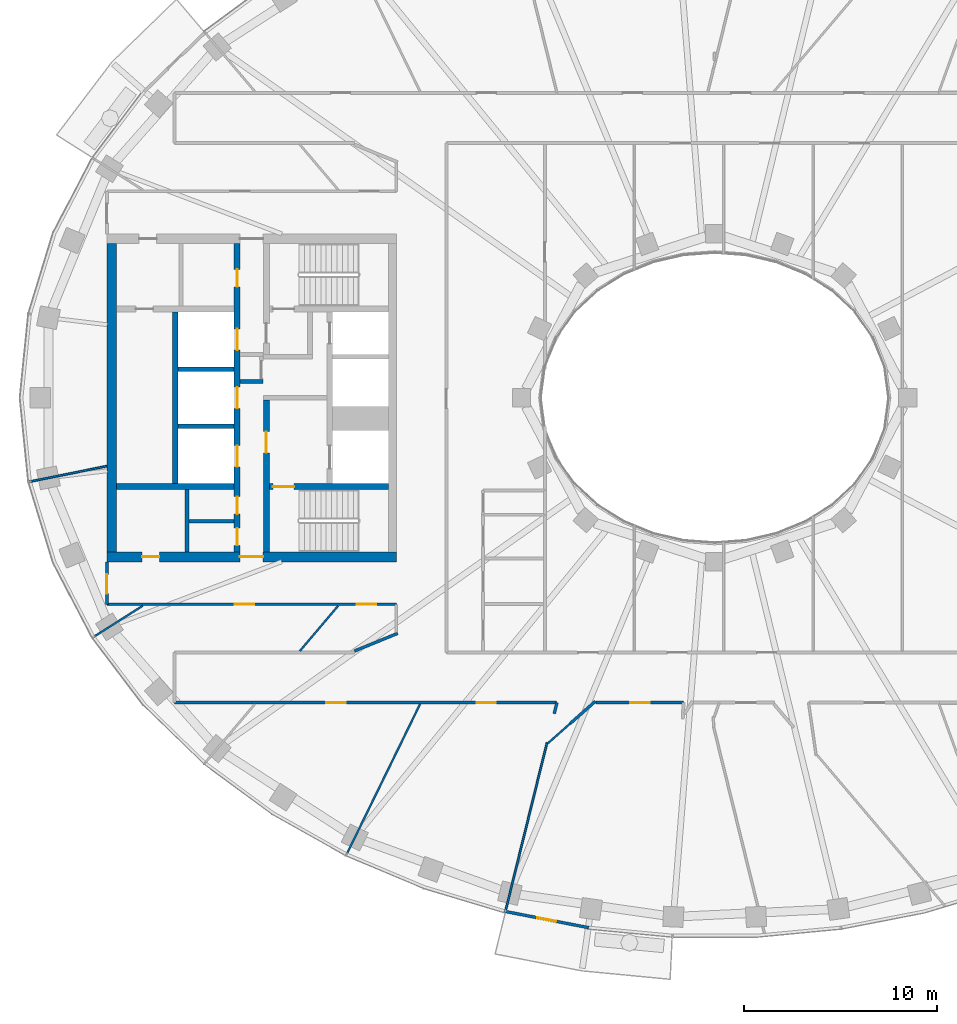
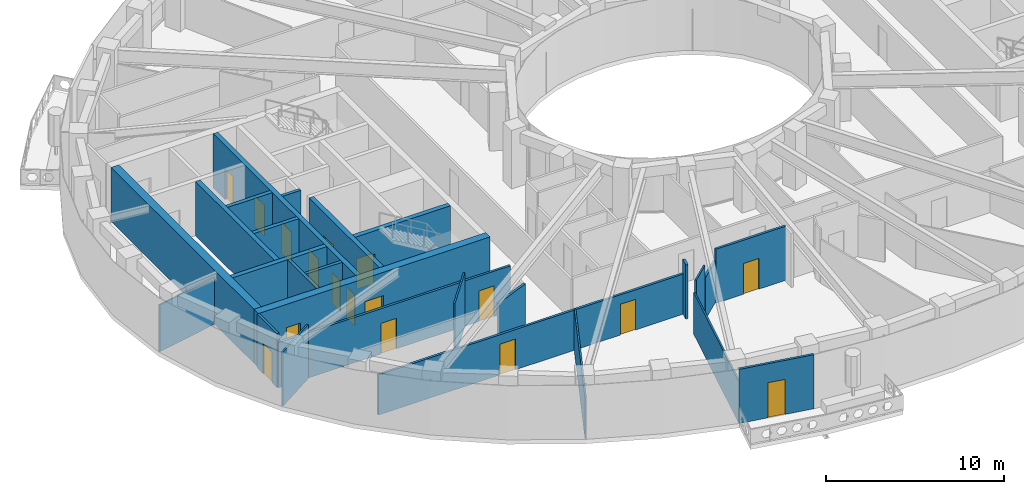
# One storey, part 3 of 16: 26 walls, 17 doors, 17 openings.
"""IFC4 building model written with IfcOpenShell, lengths in metres."""

from ifc_helpers import new_model, si_unit, direction, frame, frame_2d, origin, place, context, subcontext, project, spatial, rectangle, extrude, material, layer, layer_set, type_object, element, fill, save


model = new_model("IFC4")

# Units and contexts
model_context = context("Model", 3, precision=1e-05, world=origin(), true_north=direction((0.0, 1.0)))
body_context = subcontext(model_context, "Body", "Model", "MODEL_VIEW")
ifc_project = project(units=[si_unit("LENGTHUNIT", "METRE"), si_unit("AREAUNIT", "SQUARE_METRE"), si_unit("VOLUMEUNIT", "CUBIC_METRE"), si_unit("PLANEANGLEUNIT", "RADIAN"), si_unit("MASSUNIT", "GRAM", prefix="KILO")], contexts=[model_context])

# Site, building, storey
site_placement = place(None, origin())
site = spatial("IfcSite", under=ifc_project, at=site_placement, CompositionType="ELEMENT")
building_placement = place(site_placement, origin())
building = spatial("IfcBuilding", under=site, at=building_placement, Name="Noorbagh Ring Tower", CompositionType="ELEMENT")
storey_placement = place(building_placement, frame((0.0, 0.0, 273.5)))
storey = spatial("IfcBuildingStorey", under=building, at=storey_placement, Name="L58", CompositionType="ELEMENT", Elevation=273.5)

# Walls
ifc_material_1 = material(Name="Gypsum board on steel studs", Category="steel")
ifc_layer_1 = layer(ifc_material_1, 0.199951171875)
ifc_layer_set_1 = layer_set([ifc_layer_1], Name="Gypsum board on steel studs")
wall_type_1 = type_object("IfcWallType", Name="CORE-PARTITION-200", PredefinedType="PARTITIONING", material=ifc_layer_set_1)
wall_1_placement = place(storey_placement, frame((-23.39990234375, 0.85009765625, 0.0), z_axis=(0.0, 0.0, 1.0), x_axis=(-1.0, 0.0, 0.0)))
element("IfcWall", 1, at=wall_1_placement, inside=storey, type_object=wall_type_1, Name="Core partition W", PredefinedType="PARTITIONING", context=body_context, shape_type="SweptSolid", body=[
    extrude(rectangle(XDim=1.2001953125, YDim=0.199951171875, at=frame_2d((0.60009765625, 0.0))), origin(), (0.0, 0.0, 1.0), 3.699951171875),
])
wall_2_placement = place(storey_placement, frame((-27.35009765625, -8.0, 0.0), z_axis=(0.0, 0.0, 1.0), x_axis=(0.0, 1.0, 0.0)))
element("IfcWall", 2, at=wall_2_placement, inside=storey, type_object=wall_type_1, Name="Core partition W", PredefinedType="PARTITIONING", context=body_context, shape_type="SweptSolid", body=[
    extrude(rectangle(XDim=3.25, YDim=0.199951171875, at=frame_2d((1.625, 0.0))), origin(), (0.0, 0.0, 1.0), 3.699951171875),
])
wall_3_placement = place(storey_placement, frame((-24.89990234375, -6.39990234375, 0.0), z_axis=(0.0, 0.0, 1.0), x_axis=(-1.0, 0.0, 0.0)))
element("IfcWall", 3, at=wall_3_placement, inside=storey, type_object=wall_type_1, Name="Core partition W", PredefinedType="PARTITIONING", context=body_context, shape_type="SweptSolid", body=[
    extrude(rectangle(XDim=2.35009765625, YDim=0.199951171875, at=frame_2d((1.175048828125, 0.0))), origin(), (0.0, 0.0, 1.0), 3.699951171875),
])
ifc_material_2 = material(Name="Concrete C60/75", Category="concrete")
ifc_layer_2 = layer(ifc_material_2, 0.25)
ifc_layer_set_2 = layer_set([ifc_layer_2], Name="Concrete C60/75")
wall_type_2 = type_object("IfcWallType", Name="CORE-WALL-250-C60-75-EI120", PredefinedType="SHEAR", material=ifc_layer_set_2)
for number, where, z_axis, x_axis, name in (
    (4, (-24.89990234375, -1.47509765625, 0.0), (0.0, 0.0, 1.0), (-1.0, 0.0, 0.0), "Core wall W"),
    (5, (-24.89990234375, 1.47509765625, 0.0), (0.0, 0.0, 1.0), (-1.0, 0.0, 0.0), "Core wall W"),
):
    element("IfcWall", number, at=place(storey_placement, frame(where, z_axis=z_axis, x_axis=x_axis)), inside=storey, type_object=wall_type_2, Name=name, PredefinedType="SHEAR", context=body_context, shape_type="SweptSolid", body=[
        extrude(rectangle(XDim=2.900146484375, YDim=0.25, at=frame_2d((1.4501953125, 0.0))), origin(), (0.0, 0.0, 1.0), 3.699951171875),
    ])
ifc_material_3 = material(Name="Concrete C60/75", Category="concrete")
ifc_layer_3 = layer(ifc_material_3, 0.300048828125)
ifc_layer_set_3 = layer_set([ifc_layer_3], Name="Concrete C60/75")
wall_type_3 = type_object("IfcWallType", Name="CORE-WALL-300-C60-75-EI120", PredefinedType="SHEAR", material=ifc_layer_set_3)
wall_4_placement = place(storey_placement, frame((-27.949951171875, -4.449951171875, 0.0), z_axis=(0.0, 0.0, 1.0), x_axis=(0.0, 1.0, 0.0)))
element("IfcWall", 6, at=wall_4_placement, inside=storey, type_object=wall_type_3, Name="Core wall W", PredefinedType="SHEAR", context=body_context, shape_type="SweptSolid", body=[
    extrude(rectangle(XDim=8.89990234375, YDim=0.300048828125, at=frame_2d((4.449951171875, 0.0))), origin(), (0.0, 0.0, 1.0), 3.699951171875),
])

# Wall, openings, doors
wall_5_placement = place(storey_placement, frame((-24.75, -8.0, 0.0), z_axis=(0.0, 0.0, 1.0), x_axis=(0.0, 1.0, 0.0)))
wall_5 = element("IfcWall", 7, at=wall_5_placement, inside=storey, type_object=wall_type_3, Name="Core wall W", PredefinedType="SHEAR", context=body_context, shape_type="SweptSolid", body=[
    extrude(rectangle(XDim=16.0, YDim=0.300048828125, at=frame_2d((8.0, 0.0))), origin(), (0.0, 0.0, 1.0), 3.699951171875),
])
opening_1_placement = place(wall_5_placement, frame((4.425048828125, 0.0, 0.0)))
opening_1 = element("IfcOpeningElement", 8, at=opening_1_placement, cuts=wall_5, Name="Opening L58-CW03", PredefinedType="OPENING", context=body_context, shape_type="SweptSolid", body=[
    extrude(rectangle(XDim=1.10009765625, YDim=2.10009765625, at=frame_2d((0.550048828125, 1.050048828125))), frame((0.0, 0.16015625, 0.0), z_axis=(0.0, -1.0, 0.0), x_axis=(1.0, 0.0, 0.0)), (0.0, 0.0, 1.0), 0.320068359375),
])
opening_2_placement = place(wall_5_placement, frame((7.449951171875, 0.0, 0.0)))
opening_2 = element("IfcOpeningElement", 9, at=opening_2_placement, cuts=wall_5, Name="Opening L58-CW04", PredefinedType="OPENING", context=body_context, shape_type="SweptSolid", body=[
    extrude(rectangle(XDim=1.10009765625, YDim=2.10009765625, at=frame_2d((0.550048828125, 1.050048828125))), frame((0.0, 0.16015625, 0.0), z_axis=(0.0, -1.0, 0.0), x_axis=(1.0, 0.0, 0.0)), (0.0, 0.0, 1.0), 0.320068359375),
])
opening_3_placement = place(wall_5_placement, frame((10.47509765625, 0.0, 0.0)))
opening_3 = element("IfcOpeningElement", 10, at=opening_3_placement, cuts=wall_5, Name="Opening L58-CW05", PredefinedType="OPENING", context=body_context, shape_type="SweptSolid", body=[
    extrude(rectangle(XDim=1.10009765625, YDim=2.10009765625, at=frame_2d((0.550048828125, 1.050048828125))), frame((0.0, 0.16015625, 0.0), z_axis=(0.0, -1.0, 0.0), x_axis=(1.0, 0.0, 0.0)), (0.0, 0.0, 1.0), 0.320068359375),
])
opening_4_placement = place(wall_5_placement, frame((13.75, 0.0, 0.0)))
opening_4 = element("IfcOpeningElement", 11, at=opening_4_placement, cuts=wall_5, Name="Opening L58-CW12", PredefinedType="OPENING", context=body_context, shape_type="SweptSolid", body=[
    extrude(rectangle(XDim=0.89990234375, YDim=2.10009765625, at=frame_2d((0.449951171875, 1.050048828125))), frame((0.0, 0.16015625, 0.0), z_axis=(0.0, -1.0, 0.0), x_axis=(1.0, 0.0, 0.0)), (0.0, 0.0, 1.0), 0.320068359375),
])
opening_5_placement = place(wall_5_placement, frame((1.97509765625, 0.0, 0.0)))
opening_5 = element("IfcOpeningElement", 12, at=opening_5_placement, cuts=wall_5, Name="Opening L58-CW14", PredefinedType="OPENING", context=body_context, shape_type="SweptSolid", body=[
    extrude(rectangle(XDim=0.89990234375, YDim=2.10009765625, at=frame_2d((0.449951171875, 1.050048828125))), frame((0.0, 0.16015625, 0.0), z_axis=(0.0, -1.0, 0.0), x_axis=(1.0, 0.0, 0.0)), (0.0, 0.0, 1.0), 0.320068359375),
])
opening_6_placement = place(wall_5_placement, frame((0.35009765625, 0.0, 0.0)))
opening_6 = element("IfcOpeningElement", 13, at=opening_6_placement, cuts=wall_5, Name="Opening L58-CW15", PredefinedType="OPENING", context=body_context, shape_type="SweptSolid", body=[
    extrude(rectangle(XDim=0.89990234375, YDim=2.10009765625, at=frame_2d((0.449951171875, 1.050048828125))), frame((0.0, 0.16015625, 0.0), z_axis=(0.0, -1.0, 0.0), x_axis=(1.0, 0.0, 0.0)), (0.0, 0.0, 1.0), 0.320068359375),
])
ifc_material_4 = material(Name="Steel door leaf", Category="steel")
door_type_1 = type_object("IfcDoorType", Name="CORE-DOOR-DROOM", OperationType="SINGLE_SWING_LEFT", PredefinedType="DOOR", material=ifc_material_4)
door_1_placement = place(opening_4_placement, origin())
door_1 = element("IfcDoor", 14, at=door_1_placement, inside=storey, type_object=door_type_1, Name="Core room door L58-CW12", OperationType="SINGLE_SWING_RIGHT", OverallHeight=2.10009765625, OverallWidth=0.89990234375, PredefinedType="DOOR", context=body_context, shape_type="SweptSolid", body=[
    extrude(rectangle(XDim=0.89990234375, YDim=2.10009765625, at=frame_2d((0.449951171875, 1.050048828125))), frame((0.0, 0.02490234375, 0.0), z_axis=(0.0, -1.0, 0.0), x_axis=(1.0, 0.0, 0.0)), (0.0, 0.0, 1.0), 0.050048828125),
])
fill(opening_4, door_1)
door_2_placement = place(opening_5_placement, origin())
door_2 = element("IfcDoor", 15, at=door_2_placement, inside=storey, type_object=door_type_1, Name="Core room door L58-CW14", OperationType="SINGLE_SWING_RIGHT", OverallHeight=2.10009765625, OverallWidth=0.89990234375, PredefinedType="DOOR", context=body_context, shape_type="SweptSolid", body=[
    extrude(rectangle(XDim=0.89990234375, YDim=2.10009765625, at=frame_2d((0.449951171875, 1.050048828125))), frame((0.0, 0.02490234375, 0.0), z_axis=(0.0, -1.0, 0.0), x_axis=(1.0, 0.0, 0.0)), (0.0, 0.0, 1.0), 0.050048828125),
])
fill(opening_5, door_2)
door_3_placement = place(opening_6_placement, origin())
door_3 = element("IfcDoor", 16, at=door_3_placement, inside=storey, type_object=door_type_1, Name="Core room door L58-CW15", OperationType="SINGLE_SWING_LEFT", OverallHeight=2.10009765625, OverallWidth=0.89990234375, PredefinedType="DOOR", context=body_context, shape_type="SweptSolid", body=[
    extrude(rectangle(XDim=0.89990234375, YDim=2.10009765625, at=frame_2d((0.449951171875, 1.050048828125))), frame((0.0, 0.02490234375, 0.0), z_axis=(0.0, -1.0, 0.0), x_axis=(1.0, 0.0, 0.0)), (0.0, 0.0, 1.0), 0.050048828125),
])
fill(opening_6, door_3)
ifc_material_5 = material(Name="Steel door leaf", Category="steel")
door_type_2 = type_object("IfcDoorType", Name="CORE-DOOR-LD", OperationType="DOUBLE_DOOR_SLIDING", PredefinedType="DOOR", material=ifc_material_5)
door_4_placement = place(opening_1_placement, origin())
door_4 = element("IfcDoor", 17, at=door_4_placement, inside=storey, type_object=door_type_2, Name="Landing door HR2 L58-CW03", OperationType="DOUBLE_DOOR_SLIDING", OverallHeight=2.10009765625, OverallWidth=1.10009765625, PredefinedType="DOOR", context=body_context, shape_type="SweptSolid", body=[
    extrude(rectangle(XDim=1.10009765625, YDim=2.10009765625, at=frame_2d((0.550048828125, 1.050048828125))), frame((0.0, 0.02490234375, 0.0), z_axis=(0.0, -1.0, 0.0), x_axis=(1.0, 0.0, 0.0)), (0.0, 0.0, 1.0), 0.050048828125),
])
fill(opening_1, door_4)
door_5_placement = place(opening_2_placement, origin())
door_5 = element("IfcDoor", 18, at=door_5_placement, inside=storey, type_object=door_type_2, Name="Landing door HR3 L58-CW04", OperationType="DOUBLE_DOOR_SLIDING", OverallHeight=2.10009765625, OverallWidth=1.10009765625, PredefinedType="DOOR", context=body_context, shape_type="SweptSolid", body=[
    extrude(rectangle(XDim=1.10009765625, YDim=2.10009765625, at=frame_2d((0.550048828125, 1.050048828125))), frame((0.0, 0.02490234375, 0.0), z_axis=(0.0, -1.0, 0.0), x_axis=(1.0, 0.0, 0.0)), (0.0, 0.0, 1.0), 0.050048828125),
])
fill(opening_2, door_5)
door_6_placement = place(opening_3_placement, origin())
door_6 = element("IfcDoor", 19, at=door_6_placement, inside=storey, type_object=door_type_2, Name="Landing door HR4 L58-CW05", OperationType="DOUBLE_DOOR_SLIDING", OverallHeight=2.10009765625, OverallWidth=1.10009765625, PredefinedType="DOOR", context=body_context, shape_type="SweptSolid", body=[
    extrude(rectangle(XDim=1.10009765625, YDim=2.10009765625, at=frame_2d((0.550048828125, 1.050048828125))), frame((0.0, 0.02490234375, 0.0), z_axis=(0.0, -1.0, 0.0), x_axis=(1.0, 0.0, 0.0)), (0.0, 0.0, 1.0), 0.050048828125),
])
fill(opening_3, door_6)

# Wall
ifc_material_6 = material(Name="Concrete C60/75", Category="concrete")
ifc_layer_4 = layer(ifc_material_6, 0.300048828125)
ifc_layer_set_4 = layer_set([ifc_layer_4], Name="Concrete C60/75")
wall_type_4 = type_object("IfcWallType", Name="CORE-WALL-300-C60-75-EI240", PredefinedType="SHEAR", material=ifc_layer_set_4)
wall_6_placement = place(storey_placement, frame((-24.89990234375, -4.60009765625, 0.0), z_axis=(0.0, 0.0, 1.0), x_axis=(-1.0, 0.0, 0.0)))
element("IfcWall", 20, at=wall_6_placement, inside=storey, type_object=wall_type_4, Name="Core wall W", PredefinedType="SHEAR", context=body_context, shape_type="SweptSolid", body=[
    extrude(rectangle(XDim=6.10009765625, YDim=0.300048828125, at=frame_2d((3.050048828125, 0.0))), origin(), (0.0, 0.0, 1.0), 3.699951171875),
])

# Wall, opening, door
wall_7_placement = place(storey_placement, frame((-23.22998046875, -8.0, 0.0), z_axis=(0.0, 0.0, 1.0), x_axis=(0.0, 1.0, 0.0)))
wall_7 = element("IfcWall", 21, at=wall_7_placement, inside=storey, type_object=wall_type_4, Name="Core wall W", PredefinedType="SHEAR", context=body_context, shape_type="SweptSolid", body=[
    extrude(rectangle(XDim=7.875, YDim=0.300048828125, at=frame_2d((3.9375, 0.0))), origin(), (0.0, 0.0, 1.0), 3.699951171875),
])
opening_7_placement = place(wall_7_placement, frame((5.14990234375, 0.0, 0.0)))
opening_7 = element("IfcOpeningElement", 22, at=opening_7_placement, cuts=wall_7, Name="Opening L58-CW08", PredefinedType="OPENING", context=body_context, shape_type="SweptSolid", body=[
    extrude(rectangle(XDim=1.10009765625, YDim=2.10009765625, at=frame_2d((0.550048828125, 1.050048828125))), frame((0.0, 0.16015625, 0.0), z_axis=(0.0, -1.0, 0.0), x_axis=(1.0, 0.0, 0.0)), (0.0, 0.0, 1.0), 0.320068359375),
])
ifc_material_7 = material(Name="Steel door leaf", Category="steel")
door_type_3 = type_object("IfcDoorType", Name="CORE-DOOR-DFF", OperationType="SINGLE_SWING_LEFT", PredefinedType="DOOR", material=ifc_material_7)
door_7_placement = place(opening_7_placement, origin())
door_7 = element("IfcDoor", 23, at=door_7_placement, inside=storey, type_object=door_type_3, Name="Firefighting lobby door L58-CW08", OperationType="SINGLE_SWING_LEFT", OverallHeight=2.10009765625, OverallWidth=1.10009765625, PredefinedType="DOOR", context=body_context, shape_type="SweptSolid", body=[
    extrude(rectangle(XDim=1.10009765625, YDim=2.10009765625, at=frame_2d((0.550048828125, 1.050048828125))), frame((0.0, 0.02490234375, 0.0), z_axis=(0.0, -1.0, 0.0), x_axis=(1.0, 0.0, 0.0)), (0.0, 0.0, 1.0), 0.050048828125),
])
fill(opening_7, door_7)

wall_8_placement = place(storey_placement, frame((-16.89990234375, -4.60009765625, 0.0), z_axis=(0.0, 0.0, 1.0), x_axis=(-1.0, 0.0, 0.0)))
wall_8 = element("IfcWall", 24, at=wall_8_placement, inside=storey, type_object=wall_type_4, Name="Core wall W", PredefinedType="SHEAR", context=body_context, shape_type="SweptSolid", body=[
    extrude(rectangle(XDim=6.18017578125, YDim=0.300048828125, at=frame_2d((3.090087890625, 0.0))), origin(), (0.0, 0.0, 1.0), 3.699951171875),
])
opening_8_placement = place(wall_8_placement, frame((4.89990234375, 0.0, 0.0)))
opening_8 = element("IfcOpeningElement", 25, at=opening_8_placement, cuts=wall_8, Name="Opening L58-CW07", PredefinedType="OPENING", context=body_context, shape_type="SweptSolid", body=[
    extrude(rectangle(XDim=1.10009765625, YDim=2.10009765625, at=frame_2d((0.550048828125, 1.050048828125))), frame((0.0, 0.16015625, 0.0), z_axis=(0.0, -1.0, 0.0), x_axis=(1.0, 0.0, 0.0)), (0.0, 0.0, 1.0), 0.320068359375),
])
ifc_material_8 = material(Name="Steel door leaf", Category="steel")
door_type_4 = type_object("IfcDoorType", Name="CORE-DOOR-DSTAIR", OperationType="SINGLE_SWING_LEFT", PredefinedType="DOOR", material=ifc_material_8)
door_8_placement = place(opening_8_placement, origin())
door_8 = element("IfcDoor", 26, at=door_8_placement, inside=storey, type_object=door_type_4, Name="Stair door ST2 L58-CW07", OperationType="SINGLE_SWING_LEFT", OverallHeight=2.10009765625, OverallWidth=1.10009765625, PredefinedType="DOOR", context=body_context, shape_type="SweptSolid", body=[
    extrude(rectangle(XDim=1.10009765625, YDim=2.10009765625, at=frame_2d((0.550048828125, 1.050048828125))), frame((0.0, 0.02490234375, 0.0), z_axis=(0.0, -1.0, 0.0), x_axis=(1.0, 0.0, 0.0)), (0.0, 0.0, 1.0), 0.050048828125),
])
fill(opening_8, door_8)

# Wall, openings, doors
ifc_material_9 = material(Name="Concrete C60/75", Category="concrete")
ifc_layer_5 = layer(ifc_material_9, 0.5)
ifc_layer_set_5 = layer_set([ifc_layer_5], Name="Concrete C60/75")
wall_type_5 = type_object("IfcWallType", Name="CORE-WALL-500-C60-75-EI240", PredefinedType="SHEAR", material=ifc_layer_set_5)
wall_9_placement = place(storey_placement, frame((-16.5, -8.25, 0.0), z_axis=(0.0, 0.0, 1.0), x_axis=(-1.0, 0.0, 0.0)))
wall_9 = element("IfcWall", 27, at=wall_9_placement, inside=storey, type_object=wall_type_5, Name="Core wall W", PredefinedType="SHEAR", context=body_context, shape_type="SweptSolid", body=[
    extrude(rectangle(XDim=15.0, YDim=0.5, at=frame_2d((7.5, 0.0))), origin(), (0.0, 0.0, 1.0), 3.699951171875),
])
opening_9_placement = place(wall_9_placement, frame((6.89990234375, 0.0, 0.0)))
opening_9 = element("IfcOpeningElement", 28, at=opening_9_placement, cuts=wall_9, Name="Opening L58-CW11", PredefinedType="OPENING", context=body_context, shape_type="SweptSolid", body=[
    extrude(rectangle(XDim=1.199951171875, YDim=2.10009765625, at=frame_2d((0.60009765625, 1.050048828125))), frame((0.0, 0.260009765625, 0.0), z_axis=(0.0, -1.0, 0.0), x_axis=(1.0, 0.0, 0.0)), (0.0, 0.0, 1.0), 0.52001953125),
])
opening_10_placement = place(wall_9_placement, frame((12.27490234375, 0.0, 0.0)))
opening_10 = element("IfcOpeningElement", 29, at=opening_10_placement, cuts=wall_9, Name="Opening L58-CW16", PredefinedType="OPENING", context=body_context, shape_type="SweptSolid", body=[
    extrude(rectangle(XDim=0.89990234375, YDim=2.10009765625, at=frame_2d((0.449951171875, 1.050048828125))), frame((0.0, 0.260009765625, 0.0), z_axis=(0.0, -1.0, 0.0), x_axis=(1.0, 0.0, 0.0)), (0.0, 0.0, 1.0), 0.52001953125),
])
door_9_placement = place(opening_10_placement, origin())
door_9 = element("IfcDoor", 30, at=door_9_placement, inside=storey, type_object=door_type_1, Name="Core room door L58-CW16", OperationType="SINGLE_SWING_LEFT", OverallHeight=2.10009765625, OverallWidth=0.89990234375, PredefinedType="DOOR", context=body_context, shape_type="SweptSolid", body=[
    extrude(rectangle(XDim=0.89990234375, YDim=2.10009765625, at=frame_2d((0.449951171875, 1.050048828125))), frame((0.0, 0.02490234375, 0.0), z_axis=(0.0, -1.0, 0.0), x_axis=(1.0, 0.0, 0.0)), (0.0, 0.0, 1.0), 0.050048828125),
])
fill(opening_10, door_9)
ifc_material_10 = material(Name="Steel door leaf", Category="steel")
door_type_5 = type_object("IfcDoorType", Name="CORE-DOOR-PORT", OperationType="DOUBLE_DOOR_DOUBLE_SWING", PredefinedType="DOOR", material=ifc_material_10)
door_10_placement = place(opening_9_placement, origin())
door_10 = element("IfcDoor", 31, at=door_10_placement, inside=storey, type_object=door_type_5, Name="Core entrance door L58-CW11", OperationType="DOUBLE_DOOR_DOUBLE_SWING", OverallHeight=2.10009765625, OverallWidth=1.199951171875, PredefinedType="DOOR", context=body_context, shape_type="SweptSolid", body=[
    extrude(rectangle(XDim=1.199951171875, YDim=2.10009765625, at=frame_2d((0.60009765625, 1.050048828125))), frame((0.0, 0.02490234375, 0.0), z_axis=(0.0, -1.0, 0.0), x_axis=(1.0, 0.0, 0.0)), (0.0, 0.0, 1.0), 0.050048828125),
])
fill(opening_9, door_10)

# Wall
wall_10_placement = place(storey_placement, frame((-31.25, -8.0, 0.0), z_axis=(0.0, 0.0, 1.0), x_axis=(0.0, 1.0, 0.0)))
element("IfcWall", 32, at=wall_10_placement, inside=storey, type_object=wall_type_5, Name="Core wall W", PredefinedType="SHEAR", context=body_context, shape_type="SweptSolid", body=[
    extrude(rectangle(XDim=16.0, YDim=0.5, at=frame_2d((8.0, 0.0))), origin(), (0.0, 0.0, 1.0), 3.699951171875),
])

# Wall, opening, door
ifc_material_11 = material(Name="Gypsum board on steel studs", Category="steel")
ifc_layer_6 = layer(ifc_material_11, 0.14990234375)
ifc_layer_set_6 = layer_set([ifc_layer_6], Name="Gypsum board on steel studs")
wall_type_6 = type_object("IfcWallType", Name="CORRIDOR PARTITION 150 EI 30", PredefinedType="PARTITIONING", material=ifc_layer_set_6)
wall_11_placement = place(storey_placement, frame((-31.5, -10.699951171875, 0.0), z_axis=(0.0, 0.0, 1.0), x_axis=(0.0, 1.0, 0.0)))
wall_11 = element("IfcWall", 33, at=wall_11_placement, inside=storey, type_object=wall_type_6, Name="L58/wall/P04", PredefinedType="PARTITIONING", context=body_context, shape_type="SweptSolid", body=[
    extrude(rectangle(XDim=2.199951171875, YDim=0.14990234375, at=frame_2d((1.10009765625, 0.0))), origin(), (0.0, 0.0, 1.0), 3.699951171875),
])
opening_11_placement = place(wall_11_placement, frame((0.550048828125, 0.0, 0.0)))
opening_11 = element("IfcOpeningElement", 34, at=opening_11_placement, cuts=wall_11, Name="Opening D1", PredefinedType="OPENING", context=body_context, shape_type="SweptSolid", body=[
    extrude(rectangle(XDim=1.0, YDim=2.10009765625, at=frame_2d((0.5, 1.050048828125))), frame((0.0, 0.0849609375, 0.0), z_axis=(0.0, -1.0, 0.0), x_axis=(1.0, 0.0, 0.0)), (0.0, 0.0, 1.0), 0.169921875),
])
ifc_material_12 = material(Name="Timber, painted", Category="wood")
door_type_6 = type_object("IfcDoorType", Name="DOOR 1000 X 2100 FD30", OperationType="SINGLE_SWING_LEFT", PredefinedType="DOOR", material=ifc_material_12)
door_11_placement = place(opening_11_placement, origin())
door_11 = element("IfcDoor", 35, at=door_11_placement, inside=storey, type_object=door_type_6, Name="L58-D06", OperationType="SINGLE_SWING_RIGHT", OverallHeight=2.10009765625, OverallWidth=1.0, PredefinedType="DOOR", context=body_context, shape_type="SweptSolid", body=[
    extrude(rectangle(XDim=1.0, YDim=2.10009765625, at=frame_2d((0.5, 1.050048828125))), frame((0.0, 0.02490234375, 0.0), z_axis=(0.0, -1.0, 0.0), x_axis=(1.0, 0.0, 0.0)), (0.0, 0.0, 1.0), 0.050048828125),
])
fill(opening_11, door_11)

# Wall, openings, doors
wall_12_placement = place(storey_placement, frame((-31.5, -10.699951171875, 0.0), z_axis=(0.0, 0.0, 1.0), x_axis=(1.0, 0.0, 0.0)))
wall_12 = element("IfcWall", 36, at=wall_12_placement, inside=storey, type_object=wall_type_6, Name="L58/wall/P05", PredefinedType="PARTITIONING", context=body_context, shape_type="SweptSolid", body=[
    extrude(rectangle(XDim=15.0, YDim=0.14990234375, at=frame_2d((7.5, 0.0))), origin(), (0.0, 0.0, 1.0), 3.10009765625),
])
opening_12_placement = place(wall_12_placement, frame((6.62890625, 0.0, 0.0)))
opening_12 = element("IfcOpeningElement", 37, at=opening_12_placement, cuts=wall_12, Name="Opening D1", PredefinedType="OPENING", context=body_context, shape_type="SweptSolid", body=[
    extrude(rectangle(XDim=1.0, YDim=2.10009765625, at=frame_2d((0.5, 1.050048828125))), frame((0.0, 0.0849609375, 0.0), z_axis=(0.0, -1.0, 0.0), x_axis=(1.0, 0.0, 0.0)), (0.0, 0.0, 1.0), 0.169921875),
])
opening_13_placement = place(wall_12_placement, frame((12.948974609375, 0.0, 0.0)))
opening_13 = element("IfcOpeningElement", 38, at=opening_13_placement, cuts=wall_12, Name="Opening D1", PredefinedType="OPENING", context=body_context, shape_type="SweptSolid", body=[
    extrude(rectangle(XDim=1.0, YDim=2.10009765625, at=frame_2d((0.5, 1.050048828125))), frame((0.0, 0.0849609375, 0.0), z_axis=(0.0, -1.0, 0.0), x_axis=(1.0, 0.0, 0.0)), (0.0, 0.0, 1.0), 0.169921875),
])
door_12_placement = place(opening_12_placement, origin())
door_12 = element("IfcDoor", 39, at=door_12_placement, inside=storey, type_object=door_type_6, Name="L58-D08", OperationType="SINGLE_SWING_RIGHT", OverallHeight=2.10009765625, OverallWidth=1.0, PredefinedType="DOOR", context=body_context, shape_type="SweptSolid", body=[
    extrude(rectangle(XDim=1.0, YDim=2.10009765625, at=frame_2d((0.5, 1.050048828125))), frame((0.0, 0.02490234375, 0.0), z_axis=(0.0, -1.0, 0.0), x_axis=(1.0, 0.0, 0.0)), (0.0, 0.0, 1.0), 0.050048828125),
])
fill(opening_12, door_12)
door_13_placement = place(opening_13_placement, origin())
door_13 = element("IfcDoor", 40, at=door_13_placement, inside=storey, type_object=door_type_6, Name="L58-D12", OperationType="SINGLE_SWING_RIGHT", OverallHeight=2.10009765625, OverallWidth=1.0, PredefinedType="DOOR", context=body_context, shape_type="SweptSolid", body=[
    extrude(rectangle(XDim=1.0, YDim=2.10009765625, at=frame_2d((0.5, 1.050048828125))), frame((0.0, 0.02490234375, 0.0), z_axis=(0.0, -1.0, 0.0), x_axis=(1.0, 0.0, 0.0)), (0.0, 0.0, 1.0), 0.050048828125),
])
fill(opening_13, door_13)

wall_13_placement = place(storey_placement, frame((-28.0, -15.800048828125, 0.0), z_axis=(0.0, 0.0, 1.0), x_axis=(1.0, 0.0, 0.0)))
wall_13 = element("IfcWall", 41, at=wall_13_placement, inside=storey, type_object=wall_type_6, Name="L58/wall/P09", PredefinedType="PARTITIONING", context=body_context, shape_type="SweptSolid", body=[
    extrude(rectangle(XDim=19.80908203125, YDim=0.14990234375, at=frame_2d((9.904541015625, 0.0))), origin(), (0.0, 0.0, 1.0), 2.75),
])
opening_14_placement = place(wall_13_placement, frame((7.8779296875, 0.0, 0.0)))
opening_14 = element("IfcOpeningElement", 42, at=opening_14_placement, cuts=wall_13, Name="Opening D1", PredefinedType="OPENING", context=body_context, shape_type="SweptSolid", body=[
    extrude(rectangle(XDim=1.0, YDim=2.10009765625, at=frame_2d((0.5, 1.050048828125))), frame((0.0, 0.0849609375, 0.0), z_axis=(0.0, -1.0, 0.0), x_axis=(1.0, 0.0, 0.0)), (0.0, 0.0, 1.0), 0.169921875),
])
opening_15_placement = place(wall_13_placement, frame((15.659912109375, 0.0, 0.0)))
opening_15 = element("IfcOpeningElement", 43, at=opening_15_placement, cuts=wall_13, Name="Opening D1", PredefinedType="OPENING", context=body_context, shape_type="SweptSolid", body=[
    extrude(rectangle(XDim=1.0, YDim=2.10009765625, at=frame_2d((0.5, 1.050048828125))), frame((0.0, 0.0849609375, 0.0), z_axis=(0.0, -1.0, 0.0), x_axis=(1.0, 0.0, 0.0)), (0.0, 0.0, 1.0), 0.169921875),
])
door_14_placement = place(opening_14_placement, origin())
door_14 = element("IfcDoor", 44, at=door_14_placement, inside=storey, type_object=door_type_6, Name="L58-D10", OperationType="SINGLE_SWING_RIGHT", OverallHeight=2.10009765625, OverallWidth=1.0, PredefinedType="DOOR", context=body_context, shape_type="SweptSolid", body=[
    extrude(rectangle(XDim=1.0, YDim=2.10009765625, at=frame_2d((0.5, 1.050048828125))), frame((0.0, 0.02490234375, 0.0), z_axis=(0.0, -1.0, 0.0), x_axis=(1.0, 0.0, 0.0)), (0.0, 0.0, 1.0), 0.050048828125),
])
fill(opening_14, door_14)
door_15_placement = place(opening_15_placement, origin())
door_15 = element("IfcDoor", 45, at=door_15_placement, inside=storey, type_object=door_type_6, Name="L58-D14", OperationType="SINGLE_SWING_RIGHT", OverallHeight=2.10009765625, OverallWidth=1.0, PredefinedType="DOOR", context=body_context, shape_type="SweptSolid", body=[
    extrude(rectangle(XDim=1.0, YDim=2.10009765625, at=frame_2d((0.5, 1.050048828125))), frame((0.0, 0.02490234375, 0.0), z_axis=(0.0, -1.0, 0.0), x_axis=(1.0, 0.0, 0.0)), (0.0, 0.0, 1.0), 0.050048828125),
])
fill(opening_15, door_15)

# Walls
wall_14_placement = place(storey_placement, frame((-18.6640625, -13.123046875, 0.0), z_axis=(0.0, 0.0, 1.0), x_axis=(0.925590432986, 0.378526551731, 0.0)))
element("IfcWall", 46, at=wall_14_placement, inside=storey, type_object=wall_type_6, Name="L58/wall/P20", PredefinedType="PARTITIONING", context=body_context, shape_type="SweptSolid", body=[
    extrude(rectangle(XDim=2.414794921875, YDim=0.14990234375, at=frame_2d((1.20751953125, 0.0))), origin(), (0.0, 0.0, 1.0), 2.75),
])
wall_15_placement = place(storey_placement, frame((-8.31494140625, -16.3701171875, 0.0), z_axis=(0.0, 0.0, 1.0), x_axis=(0.239893428325, 0.97079922901, 0.0)))
element("IfcWall", 47, at=wall_15_placement, inside=storey, type_object=wall_type_6, Name="L58/wall/P40", PredefinedType="PARTITIONING", context=body_context, shape_type="SweptSolid", body=[
    extrude(rectangle(XDim=0.587158203125, YDim=0.14990234375, at=frame_2d((0.29345703125, 0.0))), origin(), (0.0, 0.0, 1.0), 3.699951171875),
])
wall_16_placement = place(storey_placement, frame((-7.488037109375, -16.882080078125, 0.0), z_axis=(0.0, 0.0, 1.0), x_axis=(0.749084830903, 0.662474087124, 0.0)))
element("IfcWall", 48, at=wall_16_placement, inside=storey, type_object=wall_type_6, Name="L58/wall/P42", PredefinedType="PARTITIONING", context=body_context, shape_type="SweptSolid", body=[
    extrude(rectangle(XDim=1.741943359375, YDim=0.14990234375, at=frame_2d((0.87109375, 0.0))), origin(), (0.0, 0.0, 1.0), 2.85009765625),
])

# Wall, opening, door
wall_17_placement = place(storey_placement, frame((-6.152099609375, -15.800048828125, 0.0), z_axis=(0.0, 0.0, 1.0), x_axis=(1.0, 0.0, 0.0)))
wall_17 = element("IfcWall", 49, at=wall_17_placement, inside=storey, type_object=wall_type_6, Name="L58/wall/P43", PredefinedType="PARTITIONING", context=body_context, shape_type="SweptSolid", body=[
    extrude(rectangle(XDim=4.537109375, YDim=0.14990234375, at=frame_2d((2.2685546875, 0.0))), origin(), (0.0, 0.0, 1.0), 3.699951171875),
])
opening_16_placement = place(wall_17_placement, frame((1.787109375, 0.0, 0.0)))
opening_16 = element("IfcOpeningElement", 50, at=opening_16_placement, cuts=wall_17, Name="Opening D1", PredefinedType="OPENING", context=body_context, shape_type="SweptSolid", body=[
    extrude(rectangle(XDim=1.0, YDim=2.10009765625, at=frame_2d((0.5, 1.050048828125))), frame((0.0, 0.0849609375, 0.0), z_axis=(0.0, -1.0, 0.0), x_axis=(1.0, 0.0, 0.0)), (0.0, 0.0, 1.0), 0.169921875),
])
door_16_placement = place(opening_16_placement, origin())
door_16 = element("IfcDoor", 51, at=door_16_placement, inside=storey, type_object=door_type_6, Name="L58-D16", OperationType="SINGLE_SWING_RIGHT", OverallHeight=2.10009765625, OverallWidth=1.0, PredefinedType="DOOR", context=body_context, shape_type="SweptSolid", body=[
    extrude(rectangle(XDim=1.0, YDim=2.10009765625, at=frame_2d((0.5, 1.050048828125))), frame((0.0, 0.02490234375, 0.0), z_axis=(0.0, -1.0, 0.0), x_axis=(1.0, 0.0, 0.0)), (0.0, 0.0, 1.0), 0.050048828125),
])
fill(opening_16, door_16)

ifc_material_13 = material(Name="Insulated aluminium clad panel", Category="aluminium")
ifc_layer_7 = layer(ifc_material_13, 0.14990234375)
ifc_layer_set_7 = layer_set([ifc_layer_7], Name="Insulated aluminium clad panel")
wall_type_7 = type_object("IfcWallType", Name="ENV-WALL-DOOR", PredefinedType="STANDARD", material=ifc_layer_set_7)
wall_18_placement = place(storey_placement, frame((-10.87060546875, -26.616943359375, 0.0), z_axis=(0.0, 0.0, 1.0), x_axis=(0.981631174778, -0.190788460615, 0.0)))
wall_18 = element("IfcWall", 52, at=wall_18_placement, inside=storey, type_object=wall_type_7, Name="Balcony door wall chord 33", PredefinedType="STANDARD", context=body_context, shape_type="SweptSolid", body=[
    extrude(rectangle(XDim=4.42626953125, YDim=0.14990234375, at=frame_2d((2.213134765625, 0.0))), origin(), (0.0, 0.0, 1.0), 3.699951171875),
])
opening_17_placement = place(wall_18_placement, frame((1.713134765625, 0.0, 0.0)))
opening_17 = element("IfcOpeningElement", 53, at=opening_17_placement, cuts=wall_18, Name="Opening D-BL", PredefinedType="OPENING", context=body_context, shape_type="SweptSolid", body=[
    extrude(rectangle(XDim=1.0, YDim=2.39990234375, at=frame_2d((0.5, 1.199951171875))), frame((0.0, 0.0849609375, 0.0), z_axis=(0.0, -1.0, 0.0), x_axis=(1.0, 0.0, 0.0)), (0.0, 0.0, 1.0), 0.169921875),
])
ifc_material_14 = material(Name="Aluminium and glass", Category="aluminium")
door_type_7 = type_object("IfcDoorType", Name="ENV-DOOR-BALCONY", OperationType="SINGLE_SWING_LEFT", PredefinedType="DOOR", material=ifc_material_14)
door_17_placement = place(opening_17_placement, origin())
door_17 = element("IfcDoor", 54, at=door_17_placement, inside=storey, type_object=door_type_7, Name="Balcony door chord 33", OperationType="SINGLE_SWING_LEFT", OverallHeight=2.39990234375, OverallWidth=1.0, PredefinedType="DOOR", context=body_context, shape_type="SweptSolid", body=[
    extrude(rectangle(XDim=1.0, YDim=2.39990234375, at=frame_2d((0.5, 1.199951171875))), frame((0.0, 0.02490234375, 0.0), z_axis=(0.0, -1.0, 0.0), x_axis=(1.0, 0.0, 0.0)), (0.0, 0.0, 1.0), 0.050048828125),
])
fill(opening_17, door_17)

# Walls
ifc_material_15 = material(Name="Gypsum board on steel studs", Category="steel")
ifc_layer_8 = layer(ifc_material_15, 0.10009765625)
ifc_layer_set_8 = layer_set([ifc_layer_8], Name="Gypsum board on steel studs")
wall_type_8 = type_object("IfcWallType", Name="PARTITION 100 GYPSUM", PredefinedType="PARTITIONING", material=ifc_layer_set_8)
wall_19_placement = place(storey_placement, frame((-35.511962890625, -4.34912109375, 0.0), z_axis=(0.0, 0.0, 1.0), x_axis=(0.980357474535, 0.197228857227, 0.0)))
element("IfcWall", 55, at=wall_19_placement, inside=storey, type_object=wall_type_8, Name="L58/wall/P01", PredefinedType="PARTITIONING", context=body_context, shape_type="SweptSolid", body=[
    extrude(rectangle(XDim=4.09228515625, YDim=0.10009765625, at=frame_2d((2.046142578125, 0.0))), origin(), (0.0, 0.0, 1.0), 3.199951171875),
])
wall_20_placement = place(storey_placement, frame((-32.2119140625, -12.407958984375, 0.0), z_axis=(0.0, 0.0, 1.0), x_axis=(0.844810627195, 0.535065420467, 0.0)))
element("IfcWall", 56, at=wall_20_placement, inside=storey, type_object=wall_type_8, Name="L58/wall/P02", PredefinedType="PARTITIONING", context=body_context, shape_type="SweptSolid", body=[
    extrude(rectangle(XDim=3.0478515625, YDim=0.10009765625, at=frame_2d((1.52392578125, 0.0))), origin(), (0.0, 0.0, 1.0), 3.699951171875),
])
wall_21_placement = place(storey_placement, frame((-21.4990234375, -13.125, 0.0), z_axis=(0.0, 0.0, 1.0), x_axis=(0.646354899778, 0.763036921474, 0.0)))
element("IfcWall", 57, at=wall_21_placement, inside=storey, type_object=wall_type_8, Name="L58/wall/P16", PredefinedType="PARTITIONING", context=body_context, shape_type="SweptSolid", body=[
    extrude(rectangle(XDim=3.07568359375, YDim=0.10009765625, at=frame_2d((1.537841796875, 0.0))), origin(), (0.0, 0.0, 1.0), 3.699951171875),
])
wall_22_placement = place(storey_placement, frame((-19.0859375, -23.68505859375, 0.0), z_axis=(0.0, 0.0, 1.0), x_axis=(0.439174872977, 0.898401597809, 0.0)))
element("IfcWall", 58, at=wall_22_placement, inside=storey, type_object=wall_type_8, Name="L58/wall/P18", PredefinedType="PARTITIONING", context=body_context, shape_type="SweptSolid", body=[
    extrude(rectangle(XDim=8.693359375, YDim=0.10009765625, at=frame_2d((4.3466796875, 0.0))), origin(), (0.0, 0.0, 1.0), 2.85009765625),
])
wall_23_placement = place(storey_placement, frame((-10.85302734375, -26.64599609375, 0.0), z_axis=(0.0, 0.0, 1.0), x_axis=(0.239774810524, 0.970828532872, 0.0)))
element("IfcWall", 59, at=wall_23_placement, inside=storey, type_object=wall_type_8, Name="L58/wall/P33", PredefinedType="PARTITIONING", context=body_context, shape_type="SweptSolid", body=[
    extrude(rectangle(XDim=9.033447265625, YDim=0.10009765625, at=frame_2d((4.5166015625, 0.0))), origin(), (0.0, 0.0, 1.0), 2.85009765625),
])
wall_24_placement = place(storey_placement, frame((-8.64208984375, -17.903076171875, 0.0), z_axis=(0.0, 0.0, 1.0), x_axis=(0.748963294947, 0.662611487089, 0.0)))
element("IfcWall", 60, at=wall_24_placement, inside=storey, type_object=wall_type_8, Name="L58/wall/P39", PredefinedType="PARTITIONING", context=body_context, shape_type="SweptSolid", body=[
    extrude(rectangle(XDim=1.540771484375, YDim=0.10009765625, at=frame_2d((0.7705078125, 0.0))), origin(), (0.0, 0.0, 1.0), 3.699951171875),
])

save(model, "model.ifc")
